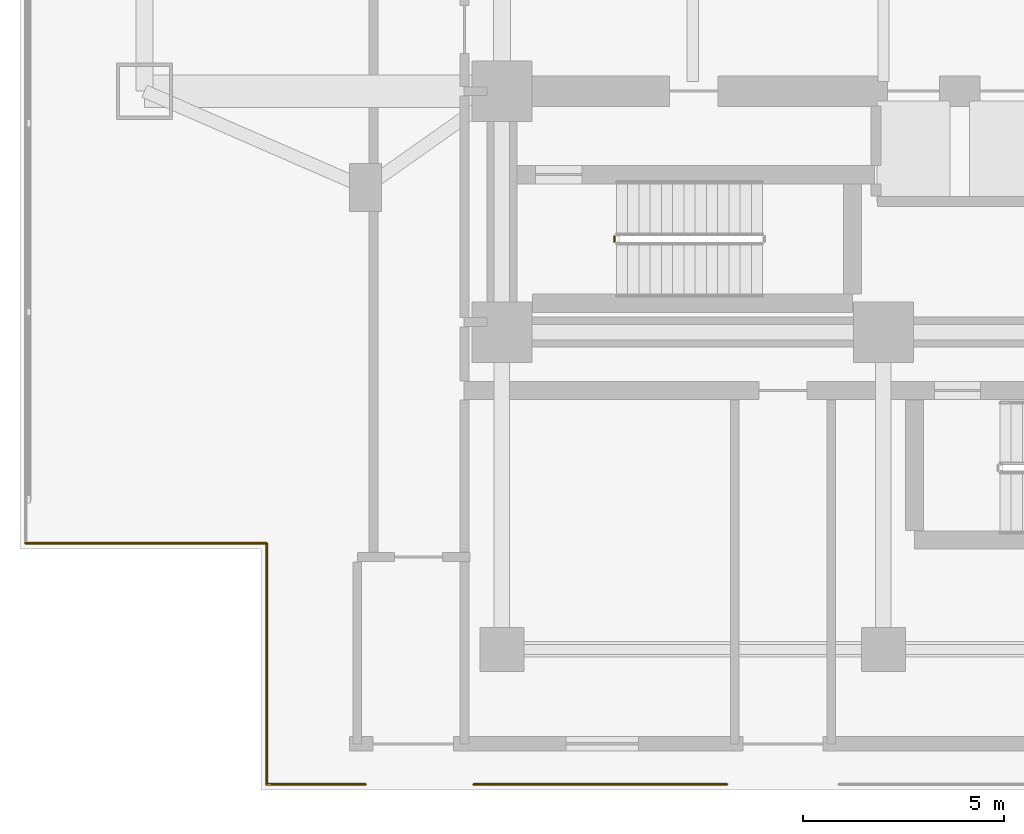
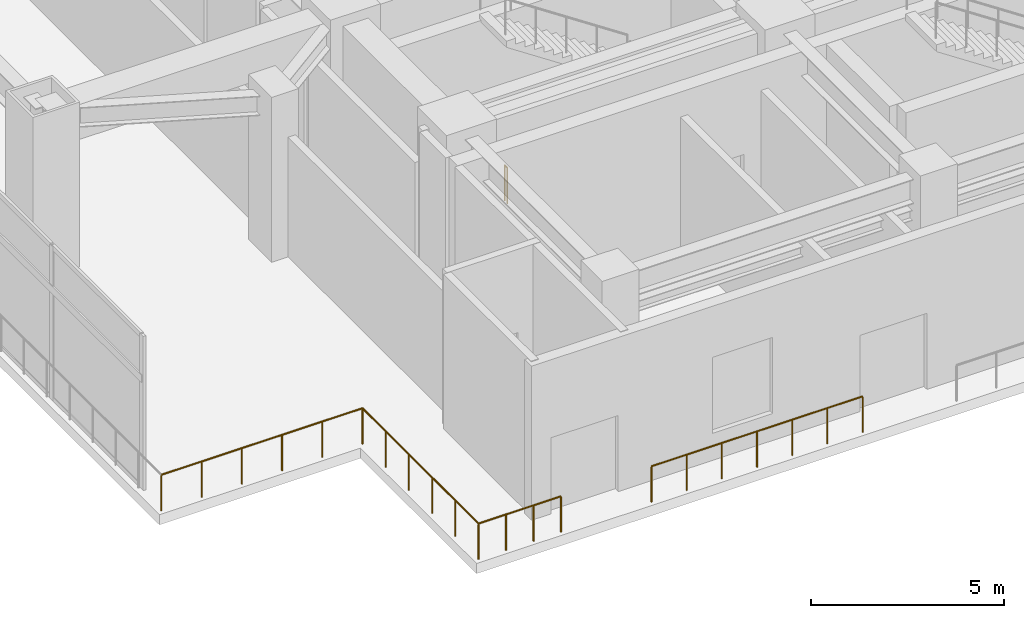
# One storey, part 17 of 27: 5 railings.
"""IFC4 building model written with IfcOpenShell, lengths in metres."""

from ifc_helpers import new_model, si_unit, direction, frame, origin, origin_2d, place, context, subcontext, project, spatial, circle, extrude, material, type_object, element, save


model = new_model("IFC4")

# Units and contexts
model_context = context("Model", 3, precision=1e-05, world=origin(), true_north=direction((0.0, 1.0)))
body_context = subcontext(model_context, "Body", "Model", "MODEL_VIEW")
ifc_project = project(units=[si_unit("LENGTHUNIT", "METRE"), si_unit("AREAUNIT", "SQUARE_METRE"), si_unit("VOLUMEUNIT", "CUBIC_METRE"), si_unit("PLANEANGLEUNIT", "RADIAN"), si_unit("MASSUNIT", "GRAM", prefix="KILO")], contexts=[model_context])

# Site, building, storey
site_placement = place(None, origin())
site = spatial("IfcSite", under=ifc_project, at=site_placement, CompositionType="ELEMENT")
building_placement = place(site_placement, origin())
building = spatial("IfcBuilding", under=site, at=building_placement, Name="Mirazonda Arch Towers", CompositionType="ELEMENT")
storey_placement = place(building_placement, origin())
storey = spatial("IfcBuildingStorey", under=building, at=storey_placement, Name="L00", CompositionType="ELEMENT", Elevation=0.0)

# Railings
ifc_material = material(Name="Architectural Brushed Steel S355", Category="steel")
railing_type_1 = type_object("IfcRailingType", Name="GUARD-EXT-1150", PredefinedType="GUARDRAIL", material=ifc_material)
railing_1_placement = place(storey_placement, frame((5.139892578125, 1.139892578125, 0.0)))
element("IfcRailing", 1, at=railing_1_placement, inside=storey, type_object=railing_type_1, Name="L00 L00 Podium Edge Guard 1 01", PredefinedType="GUARDRAIL", context=body_context, shape_type="SweptSolid", body=[
    extrude(circle(Radius=0.02392578125, at=origin_2d()), frame((0.0, 0.0, 1.1259765625), z_axis=(1.0, 0.0, 0.0), x_axis=(0.0, 1.0, 0.0)), (0.0, 0.0, 1.0), 2.460205078125),
    extrude(circle(Radius=0.02099609375, at=origin_2d()), origin(), (0.0, 0.0, 1.0), 1.101806640625),
    extrude(circle(Radius=0.02099609375, at=origin_2d()), frame((0.820068359375, 0.0, 0.0)), (0.0, 0.0, 1.0), 1.101806640625),
    extrude(circle(Radius=0.02099609375, at=origin_2d()), frame((1.64013671875, 0.0, 0.0)), (0.0, 0.0, 1.0), 1.101806640625),
    extrude(circle(Radius=0.02099609375, at=origin_2d()), frame((2.460205078125, 0.0, 0.0)), (0.0, 0.0, 1.0), 1.101806640625),
])
railing_2_placement = place(storey_placement, frame((10.300048828125, 1.139892578125, 0.0)))
element("IfcRailing", 2, at=railing_2_placement, inside=storey, type_object=railing_type_1, Name="L00 L00 Podium Edge Guard 2 01", PredefinedType="GUARDRAIL", context=body_context, shape_type="SweptSolid", body=[
    extrude(circle(Radius=0.02392578125, at=origin_2d()), frame((0.0, 0.0, 1.1259765625), z_axis=(1.0, 0.0, 0.0), x_axis=(0.0, 1.0, 0.0)), (0.0, 0.0, 1.0), 6.300048828125),
    extrude(circle(Radius=0.02099609375, at=origin_2d()), origin(), (0.0, 0.0, 1.0), 1.101806640625),
    extrude(circle(Radius=0.02099609375, at=origin_2d()), frame((1.050048828125, 0.0, 0.0)), (0.0, 0.0, 1.0), 1.101806640625),
    extrude(circle(Radius=0.02099609375, at=origin_2d()), frame((2.10009765625, 0.0, 0.0)), (0.0, 0.0, 1.0), 1.101806640625),
    extrude(circle(Radius=0.02099609375, at=origin_2d()), frame((3.14990234375, 0.0, 0.0)), (0.0, 0.0, 1.0), 1.101806640625),
    extrude(circle(Radius=0.02099609375, at=origin_2d()), frame((4.199951171875, 0.0, 0.0)), (0.0, 0.0, 1.0), 1.101806640625),
    extrude(circle(Radius=0.02099609375, at=origin_2d()), frame((5.25, 0.0, 0.0)), (0.0, 0.0, 1.0), 1.101806640625),
    extrude(circle(Radius=0.02099609375, at=origin_2d()), frame((6.300048828125, 0.0, 0.0)), (0.0, 0.0, 1.0), 1.101806640625),
])
railing_3_placement = place(storey_placement, frame((5.139892578125, 1.139892578125, 0.0)))
element("IfcRailing", 3, at=railing_3_placement, inside=storey, type_object=railing_type_1, Name="L00 L00 Podium Edge Guard 5 01", PredefinedType="GUARDRAIL", context=body_context, shape_type="SweptSolid", body=[
    extrude(circle(Radius=0.02392578125, at=origin_2d()), frame((0.0, 0.0, 1.1259765625), z_axis=(0.0, 1.0, 0.0), x_axis=(-1.0, 0.0, 0.0)), (0.0, 0.0, 1.0), 6.0),
    extrude(circle(Radius=0.02099609375, at=origin_2d()), origin(), (0.0, 0.0, 1.0), 1.101806640625),
    extrude(circle(Radius=0.02099609375, at=origin_2d()), frame((0.0, 1.199951171875, 0.0)), (0.0, 0.0, 1.0), 1.101806640625),
    extrude(circle(Radius=0.02099609375, at=origin_2d()), frame((0.0, 2.39990234375, 0.0)), (0.0, 0.0, 1.0), 1.101806640625),
    extrude(circle(Radius=0.02099609375, at=origin_2d()), frame((0.0, 3.60009765625, 0.0)), (0.0, 0.0, 1.0), 1.101806640625),
    extrude(circle(Radius=0.02099609375, at=origin_2d()), frame((0.0, 4.800048828125, 0.0)), (0.0, 0.0, 1.0), 1.101806640625),
    extrude(circle(Radius=0.02099609375, at=origin_2d()), frame((0.0, 6.0, 0.0)), (0.0, 0.0, 1.0), 1.101806640625),
])
railing_4_placement = place(storey_placement, frame((5.139892578125, 7.139892578125, 0.0)))
element("IfcRailing", 4, at=railing_4_placement, inside=storey, type_object=railing_type_1, Name="L00 L00 Podium Edge Guard 5 02", PredefinedType="GUARDRAIL", context=body_context, shape_type="SweptSolid", body=[
    extrude(circle(Radius=0.02392578125, at=origin_2d()), frame((0.0, 0.0, 1.1259765625), z_axis=(-1.0, 0.0, 0.0), x_axis=(0.0, -1.0, 0.0)), (0.0, 0.0, 1.0), 6.0),
    extrude(circle(Radius=0.02099609375, at=origin_2d()), origin(), (0.0, 0.0, 1.0), 1.101806640625),
    extrude(circle(Radius=0.02099609375, at=origin_2d()), frame((-1.199951171875, 0.0, 0.0)), (0.0, 0.0, 1.0), 1.101806640625),
    extrude(circle(Radius=0.02099609375, at=origin_2d()), frame((-2.39990234375, 0.0, 0.0)), (0.0, 0.0, 1.0), 1.101806640625),
    extrude(circle(Radius=0.02099609375, at=origin_2d()), frame((-3.60009765625, 0.0, 0.0)), (0.0, 0.0, 1.0), 1.101806640625),
    extrude(circle(Radius=0.02099609375, at=origin_2d()), frame((-4.800048828125, 0.0, 0.0)), (0.0, 0.0, 1.0), 1.101806640625),
    extrude(circle(Radius=0.02099609375, at=origin_2d()), frame((-6.0, 0.0, 0.0)), (0.0, 0.0, 1.0), 1.101806640625),
])
railing_type_2 = type_object("IfcRailingType", Name="GUARD-STAIR-1120", PredefinedType="GUARDRAIL", material=ifc_material)
railing_5_placement = place(storey_placement, frame((13.800048828125, 14.64990234375, 0.0)))
element("IfcRailing", 5, at=railing_5_placement, inside=storey, type_object=railing_type_2, Name="L00 ST-T1S stair guard 4", PredefinedType="GUARDRAIL", context=body_context, shape_type="SweptSolid", body=[
    extrude(circle(Radius=0.02392578125, at=origin_2d()), frame((0.0, 0.0, 1.1259765625), z_axis=(0.0, 1.0, 0.0), x_axis=(-1.0, 0.0, 0.0)), (0.0, 0.0, 1.0), 0.14013671875),
    extrude(circle(Radius=0.02099609375, at=origin_2d()), origin(), (0.0, 0.0, 1.0), 1.101806640625),
    extrude(circle(Radius=0.02099609375, at=origin_2d()), frame((0.0, 0.14013671875, 0.0)), (0.0, 0.0, 1.0), 1.101806640625),
])

save(model, "model.ifc")
